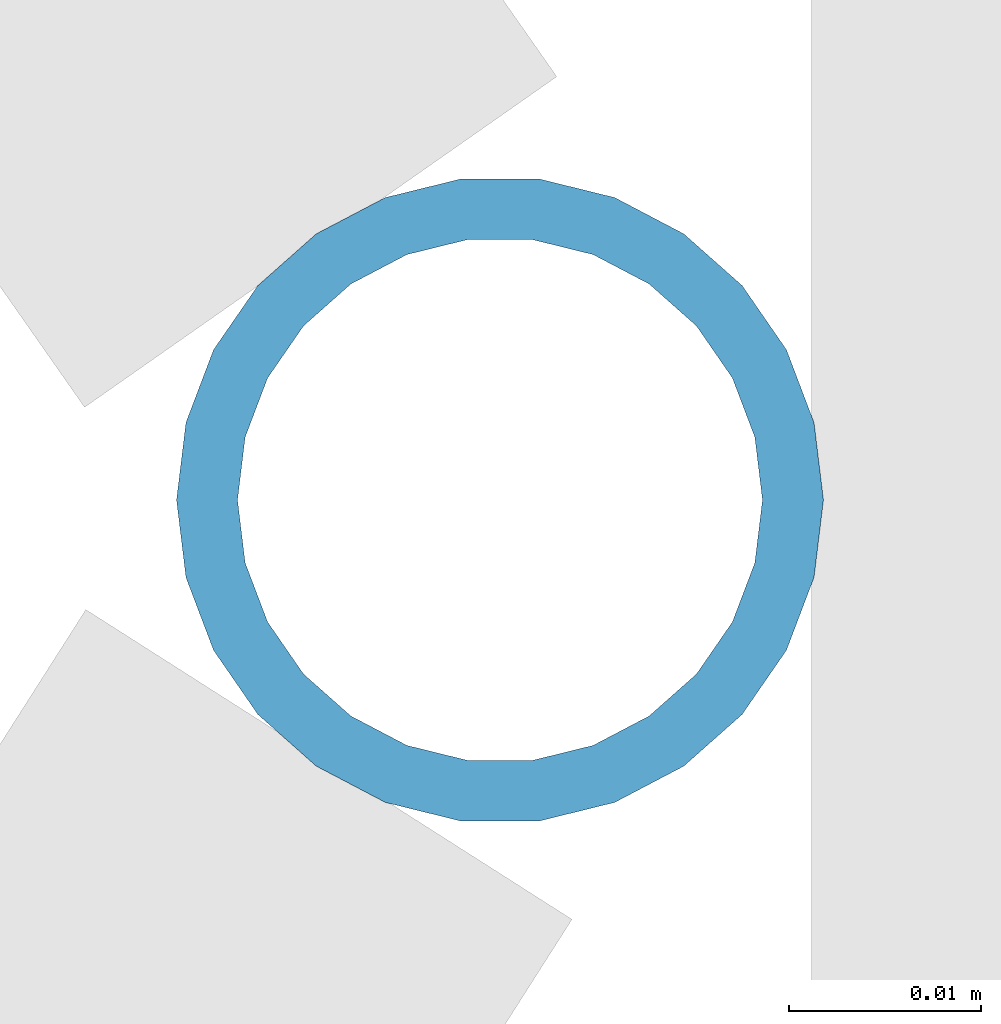
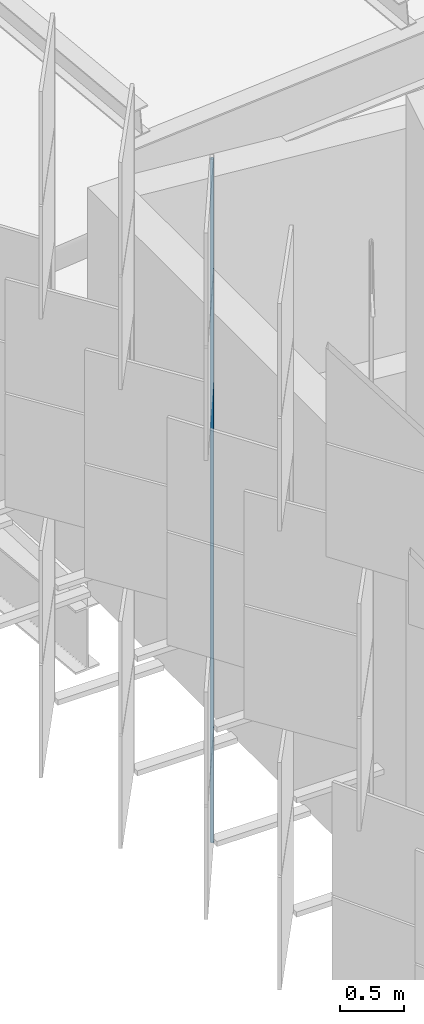
# One storey, part 197 of 483: 1 discrete accessory.
"""IFC4 building model written with IfcOpenShell, lengths in metres."""

import ifcopenshell
import ifcopenshell.guid

model = None  # the IFC model being written
_history = None  # IfcOwnerHistory: only IFC2X3 demands one
_inside = {}  # id of a spatial element -> (the spatial element, [elements in it])
_under = {}  # id of a project, library or spatial element -> (it, [spatial elements below it])
_declared = {}  # id of a project -> (the project, [libraries it declares])
_typed = {}  # id of a type object -> (the type object, [elements of that type])
_made_of = {}  # id of a material, layer set ... -> (it, [elements and type objects made of it])


def new_model(schema):
    """Start an empty IFC model of exactly this schema.

    Asked for "IFC4X3", IfcOpenShell would pick the latest addendum, in which some entities
    have other attributes; the version numbers below select the first issue.
    IFC2X3 requires an IfcOwnerHistory on every rooted entity: one is made here for all.
    """
    global model, _history
    if schema == "IFC4X3":
        model = ifcopenshell.file(schema_version=(4, 3, 0, 0))
    else:
        model = ifcopenshell.file(schema=schema)
    _inside.clear()
    _under.clear()
    _declared.clear()
    _typed.clear()
    _made_of.clear()
    _history = None
    if model.schema == "IFC2X3":
        org = make("IfcOrganization", Name="unknown")
        user = make(
            "IfcPersonAndOrganization",
            ThePerson=make("IfcPerson", FamilyName="unknown"),
            TheOrganization=org,
        )
        app = make(
            "IfcApplication",
            ApplicationDeveloper=org,
            Version="unknown",
            ApplicationFullName="unknown",
            ApplicationIdentifier="unknown",
        )
        _history = make(
            "IfcOwnerHistory",
            OwningUser=user,
            OwningApplication=app,
            ChangeAction="ADDED",
            CreationDate=0,
        )
    return model


def make(cls, **values):
    """One entity of the class cls with the attributes given. An attribute that is None is left unset."""
    return model.create_entity(
        cls, **{name: value for name, value in values.items() if value is not None}
    )


def rooted(cls, **values):
    """An entity with a GlobalId (a new one), such as an element, a storey or a relation."""
    return make(cls, GlobalId=ifcopenshell.guid.new(), OwnerHistory=_history, **values)


def si_unit(unit_type, name, prefix=None):
    """IfcSIUnit, for example si_unit("LENGTHUNIT", "METRE", prefix="MILLI")."""
    return make("IfcSIUnit", UnitType=unit_type, Prefix=prefix, Name=name)


def assignment(units):
    """IfcUnitAssignment: the units of a project."""
    return None if units is None else make("IfcUnitAssignment", Units=units)


def point(xyz):
    """IfcCartesianPoint."""
    return None if xyz is None else make("IfcCartesianPoint", Coordinates=xyz)


def direction(xyz):
    """IfcDirection."""
    return None if xyz is None else make("IfcDirection", DirectionRatios=xyz)


def frame(location, z_axis=None, x_axis=None):
    """IfcAxis2Placement3D, a coordinate frame: its origin and axes. An axis left out is left unset."""
    return make(
        "IfcAxis2Placement3D",
        Location=point(location),
        Axis=direction(z_axis),
        RefDirection=direction(x_axis),
    )


def frame_2d(location, x_axis=None):
    """IfcAxis2Placement2D, a coordinate frame in the plane: its origin and x axis."""
    return make(
        "IfcAxis2Placement2D", Location=point(location), RefDirection=direction(x_axis)
    )


def origin():
    """The frame at (0, 0, 0) with its axes left unset."""
    return frame((0.0, 0.0, 0.0))


def origin_2d():
    """The frame at (0, 0) in the plane with its x axis left unset."""
    return frame_2d((0.0, 0.0))


def place(relative_to, where):
    """IfcLocalPlacement: puts the frame where relative to a parent placement (None: the world)."""
    return make(
        "IfcLocalPlacement", PlacementRelTo=relative_to, RelativePlacement=where
    )


def context(
    kind, dimensions, precision=None, world=None, true_north=None, identifier=None
):
    """IfcGeometricRepresentationContext, for example the 3D "Model" context."""
    return make(
        "IfcGeometricRepresentationContext",
        ContextIdentifier=identifier,
        ContextType=kind,
        CoordinateSpaceDimension=dimensions,
        Precision=precision,
        WorldCoordinateSystem=world,
        TrueNorth=true_north,
    )


def subcontext(parent, identifier, kind, view, scale=None):
    """IfcGeometricRepresentationSubContext, for example "Body" below "Model"."""
    return make(
        "IfcGeometricRepresentationSubContext",
        ContextIdentifier=identifier,
        ContextType=kind,
        ParentContext=parent,
        TargetScale=scale,
        TargetView=view,
    )


def project(units=None, contexts=None):
    """IfcProject with its units and contexts."""
    return rooted(
        "IfcProject",
        Name="project",
        RepresentationContexts=contexts,
        UnitsInContext=assignment(units),
    )


def spatial(cls, under=None, at=None, **own):
    """A site, building, storey or space (cls), placed at a placement, below another one or the project."""
    s = rooted(cls, ObjectPlacement=at, **own)
    if under is not None:
        _under.setdefault(under.id(), (under, []))[1].append(s)
    return s


def profile(cls, at=None, kind="AREA", **sizes):
    """A parametric profile (cls). Its sizes go by their IFC names, for example OverallWidth=200.0."""
    return make(cls, ProfileType=kind, Position=at, **sizes)


def hollow_circle(**sizes):
    """IfcCircleHollowProfileDef."""
    return profile("IfcCircleHollowProfileDef", **sizes)


def extrude(swept, where, along, depth):
    """IfcExtrudedAreaSolid: the profile swept, set in the frame where, extruded along a direction by depth."""
    return make(
        "IfcExtrudedAreaSolid",
        SweptArea=swept,
        Position=where,
        ExtrudedDirection=direction(along),
        Depth=depth,
    )


def shape(context_of_items, identifier, shape_type, items):
    """IfcShapeRepresentation: the items that make up one representation, for example the "Body"."""
    return make(
        "IfcShapeRepresentation",
        ContextOfItems=context_of_items,
        RepresentationIdentifier=identifier,
        RepresentationType=shape_type,
        Items=items,
    )


def material(Name=None, Category=None):
    """IfcMaterial."""
    return make("IfcMaterial", Name=Name, Category=Category)


def material_profile(
    of_material, cross_section, Name=None, Category=None, Priority=None
):
    """IfcMaterialProfile: a cross section and its material."""
    return make(
        "IfcMaterialProfile",
        Name=Name,
        Material=of_material,
        Profile=cross_section,
        Priority=Priority,
        Category=Category,
    )


def profile_set(profiles, Name=None, composite=None):
    """IfcMaterialProfileSet."""
    return make(
        "IfcMaterialProfileSet",
        Name=Name,
        MaterialProfiles=profiles,
        CompositeProfile=composite,
    )


def made_of(thing, what):
    """Note that an element or type object is made of a material, layer set ...; save() writes the relation."""
    if what is not None:
        _made_of.setdefault(what.id(), (what, []))[1].append(thing)
    return thing


def type_object(cls, material=None, **own):
    """A type object (cls), such as IfcWallType, which elements share."""
    return made_of(rooted(cls, **own), material)


def element(
    cls,
    number,
    at=None,
    inside=None,
    cuts=None,
    type_object=None,
    material=None,
    context=None,
    identifier="Body",
    shape_type=None,
    held_by="IfcProductDefinitionShape",
    body=None,
    shapes=None,
    **own,
):
    """One element of the class cls, such as IfcWall. Its Tag is "e" and its number.

    at: its placement. inside: the storey or other place that contains it. cuts: it is an
    opening in that element (IfcRelVoidsElement). A single representation is given by context,
    identifier, shape_type and body (its items); several are given by shapes. held_by: the class
    of the entity that holds the representations. save() writes the other relations.
    """
    e = rooted(cls, Tag="e%d" % number, ObjectPlacement=at, **own)
    if body is not None:
        shapes = [shape(context, identifier, shape_type, body)]
    if shapes is not None:
        e.Representation = make(held_by, Representations=shapes)
    if inside is not None:
        _inside.setdefault(inside.id(), (inside, []))[1].append(e)
    if cuts is not None:
        rooted(
            "IfcRelVoidsElement", RelatingBuildingElement=cuts, RelatedOpeningElement=e
        )
    if type_object is not None:
        _typed.setdefault(type_object.id(), (type_object, []))[1].append(e)
    return made_of(e, material)


def aggregate(whole, parts):
    """IfcRelAggregates: a whole, such as a stair, and the parts it consists of."""
    return rooted("IfcRelAggregates", RelatingObject=whole, RelatedObjects=parts)


def save(model, path):
    """Write the relations noted so far, then the file.

    IfcRelAggregates (storeys below a building ...), IfcRelContainedInSpatialStructure (elements
    in a storey), IfcRelDefinesByType, IfcRelAssociatesMaterial and IfcRelDeclares: one each for
    every whole, place, type object, material and project.
    """
    for whole, parts in _under.values():
        aggregate(whole, parts)
    for where, things in _inside.values():
        rooted(
            "IfcRelContainedInSpatialStructure",
            RelatedElements=things,
            RelatingStructure=where,
        )
    for kind, things in _typed.values():
        rooted("IfcRelDefinesByType", RelatedObjects=things, RelatingType=kind)
    for what, things in _made_of.values():
        rooted("IfcRelAssociatesMaterial", RelatedObjects=things, RelatingMaterial=what)
    for by, libraries in _declared.values():
        rooted("IfcRelDeclares", RelatingContext=by, RelatedDefinitions=libraries)
    model.write(path)


model = new_model("IFC4")

# Units and contexts
model_context = context("Model", 3, precision=1e-05, world=origin(), true_north=direction((0.0, 1.0)))
body_context = subcontext(model_context, "Body", "Model", "MODEL_VIEW")
ifc_project = project(units=[si_unit("LENGTHUNIT", "METRE"), si_unit("AREAUNIT", "SQUARE_METRE"), si_unit("VOLUMEUNIT", "CUBIC_METRE"), si_unit("PLANEANGLEUNIT", "RADIAN"), si_unit("MASSUNIT", "GRAM", prefix="KILO")], contexts=[model_context])

# Site, building, storey
site_placement = place(None, origin())
site = spatial("IfcSite", under=ifc_project, at=site_placement, CompositionType="ELEMENT")
building_placement = place(site_placement, origin())
building = spatial("IfcBuilding", under=site, at=building_placement, Name="Parallax Yard Mobility Hub", CompositionType="ELEMENT")
storey_placement = place(building_placement, frame((0.0, 0.0, 13.199951171875)))
storey = spatial("IfcBuildingStorey", under=building, at=storey_placement, Name="L04", CompositionType="ELEMENT", Elevation=13.199951171875)

# Discrete accessory
ifc_material = material(Name="Steel ASTM A500 Gr C, hot-dip galvanised", Category="steel")
ifc_material_profile = material_profile(ifc_material, hollow_circle(Radius=0.016845703125, WallThickness=0.003173828125, at=origin_2d()), Name="CHS 33.7x3.2")
ifc_profile_set = profile_set([ifc_material_profile], Name="Steel ASTM A500 Gr C, hot-dip galvanised")
discrete_accessory_type = type_object("IfcDiscreteAccessoryType", Name="Hinge post CHS 33.7x3.2", PredefinedType="BRACKET", material=ifc_profile_set)
discrete_accessory_placement = place(storey_placement, frame((194.134765625, 86.549072265625, 0.0), z_axis=(0.0, 0.0, 1.0), x_axis=(1.0, 0.0, 0.0)))
element("IfcDiscreteAccessory", 1, at=discrete_accessory_placement, inside=storey, type_object=discrete_accessory_type, Name="Hinge post bay 23.4 level L04", PredefinedType="BRACKET", context=body_context, shape_type="SweptSolid", body=[
    extrude(hollow_circle(Radius=0.016845703125, WallThickness=0.003173828125, at=origin_2d()), origin(), (0.0, 0.0, 1.0), 6.550048828125),
])

save(model, "model.ifc")
